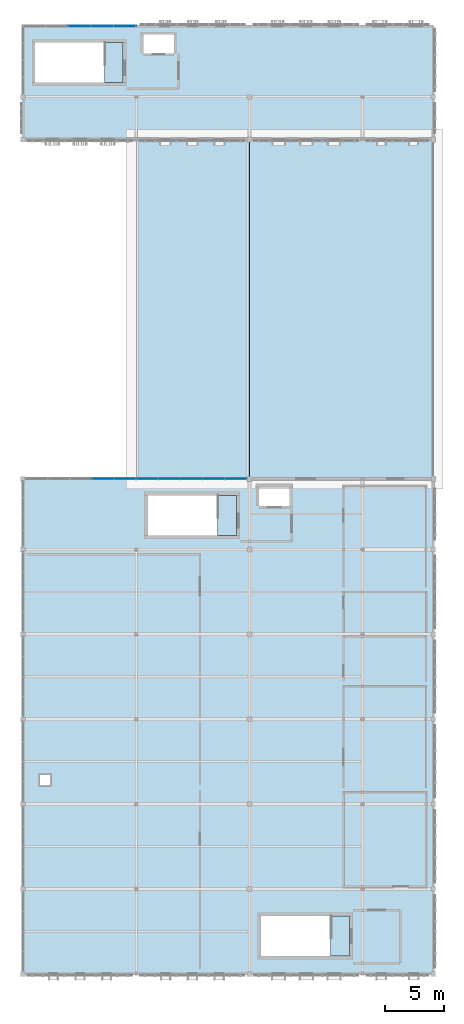
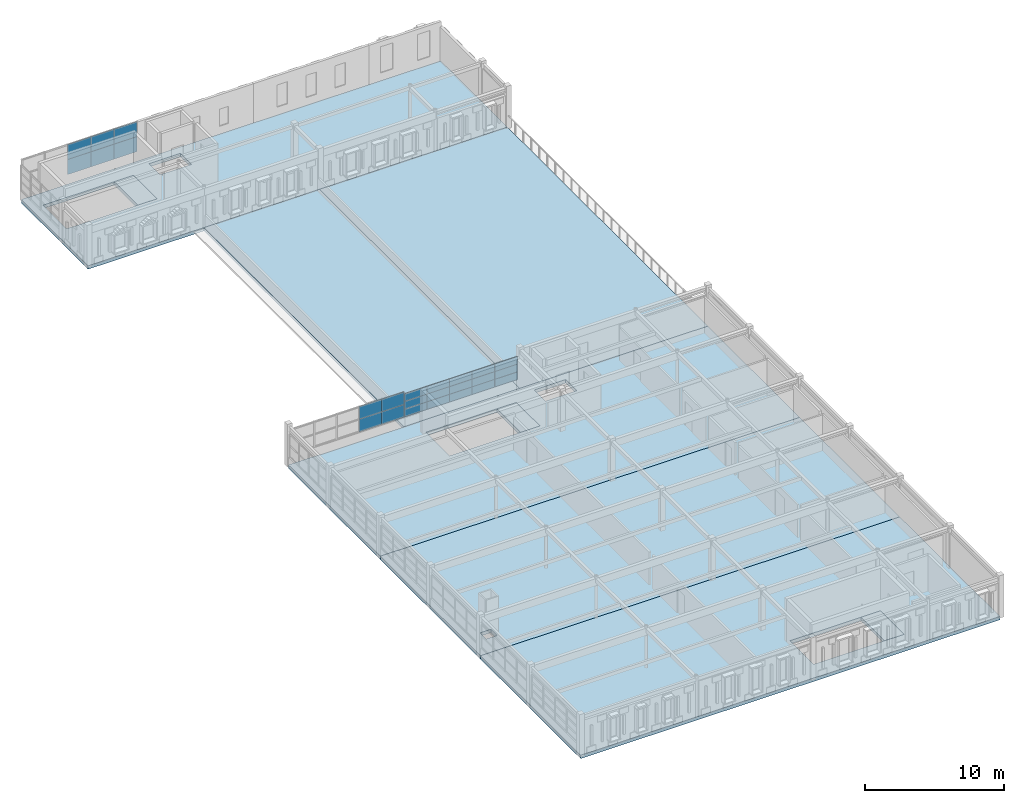
# One storey, part 13 of 25: 25 plates, 9 slabs, 3 elements without a shape of their own.
"""IFC4 building model written with IfcOpenShell, lengths in metres."""

from ifc_helpers import new_model, si_unit, direction, frame, origin, origin_2d, place, context, subcontext, project, spatial, polyline, rectangle, outline, extrude, material, layer, layer_set, type_object, element, aggregate, save


model = new_model("IFC4")

# Units and contexts
model_context = context("Model", 3, precision=1e-05, world=origin(), true_north=direction((0.0, 1.0)))
body_context = subcontext(model_context, "Body", "Model", "MODEL_VIEW")
ifc_project = project(units=[si_unit("LENGTHUNIT", "METRE"), si_unit("AREAUNIT", "SQUARE_METRE"), si_unit("VOLUMEUNIT", "CUBIC_METRE"), si_unit("PLANEANGLEUNIT", "RADIAN"), si_unit("MASSUNIT", "GRAM", prefix="KILO")], contexts=[model_context])

# Site, building, storey
site_placement = place(None, origin())
site = spatial("IfcSite", under=ifc_project, at=site_placement, CompositionType="ELEMENT")
building_placement = place(site_placement, origin())
building = spatial("IfcBuilding", under=site, at=building_placement, Name="Nzembalo Square Collegiate School", CompositionType="ELEMENT")
storey_placement = place(building_placement, frame((0.0, 0.0, 21.080078125)))
storey = spatial("IfcBuildingStorey", under=building, at=storey_placement, Name="L05", CompositionType="ELEMENT", Elevation=21.080078125)

# Curtain wall, plates
ifc_material_1 = material(Name="Aluminium 6060-T66", Category="aluminium")
curtain_wall_type_1 = type_object("IfcCurtainWallType", Name="CW-09", PredefinedType="USERDEFINED", material=ifc_material_1)
curtain_wall_1_placement = place(storey_placement, origin())
curtain_wall_1 = element("IfcCurtainWall", 1, at=curtain_wall_1_placement, inside=storey, type_object=curtain_wall_type_1, Name="Curtain wall CW-09 cw:L05:160", ObjectType="UNITISED", PredefinedType="USERDEFINED")
ifc_material_2 = material(Name="Laminated solar-control double glazing", Category="glass")
ifc_layer_1 = layer(ifc_material_2, 0.028076171875, Name="Laminated solar-control double glazing")
ifc_layer_set_1 = layer_set([ifc_layer_1], Name="Laminated solar-control double glazing")
plate_type_1 = type_object("IfcPlateType", Name="PN01", PredefinedType="CURTAIN_PANEL", material=ifc_layer_set_1)
plate_1_placement = place(storey_placement, frame((141.3388671875, 50.39990234375, 0.85400390625), z_axis=(0.0, 0.0, 1.0), x_axis=(1.0, 0.0, 0.0)))
plate_1 = element("IfcPlate", 2, at=plate_1_placement, type_object=plate_type_1, Name="PN01 glazed panel 1-1", PredefinedType="CURTAIN_PANEL", context=body_context, shape_type="SweptSolid", body=[
    extrude(rectangle(XDim=1.86962890625, YDim=0.028076171875, at=origin_2d()), origin(), (0.0, 0.0, 1.0), 0.669921875),
])
plate_2_placement = place(storey_placement, frame((143.21630859375, 50.39990234375, 0.85400390625), z_axis=(0.0, 0.0, 1.0), x_axis=(1.0, 0.0, 0.0)))
plate_2 = element("IfcPlate", 3, at=plate_2_placement, type_object=plate_type_1, Name="PN01 glazed panel 1-2", PredefinedType="CURTAIN_PANEL", context=body_context, shape_type="SweptSolid", body=[
    extrude(rectangle(XDim=1.86962890625, YDim=0.028076171875, at=origin_2d()), origin(), (0.0, 0.0, 1.0), 0.669921875),
])
plate_3_placement = place(storey_placement, frame((145.093994140625, 50.39990234375, 0.85400390625), z_axis=(0.0, 0.0, 1.0), x_axis=(1.0, 0.0, 0.0)))
plate_3 = element("IfcPlate", 4, at=plate_3_placement, type_object=plate_type_1, Name="PN01 glazed panel 1-3", PredefinedType="CURTAIN_PANEL", context=body_context, shape_type="SweptSolid", body=[
    extrude(rectangle(XDim=1.86962890625, YDim=0.028076171875, at=origin_2d()), origin(), (0.0, 0.0, 1.0), 0.669921875),
])
plate_4_placement = place(storey_placement, frame((146.9716796875, 50.39990234375, 0.85400390625), z_axis=(0.0, 0.0, 1.0), x_axis=(1.0, 0.0, 0.0)))
plate_4 = element("IfcPlate", 5, at=plate_4_placement, type_object=plate_type_1, Name="PN01 glazed panel 1-4", PredefinedType="CURTAIN_PANEL", context=body_context, shape_type="SweptSolid", body=[
    extrude(rectangle(XDim=1.86962890625, YDim=0.028076171875, at=origin_2d()), origin(), (0.0, 0.0, 1.0), 0.669921875),
])
plate_5_placement = place(storey_placement, frame((148.84912109375, 50.39990234375, 0.85400390625), z_axis=(0.0, 0.0, 1.0), x_axis=(1.0, 0.0, 0.0)))
plate_5 = element("IfcPlate", 6, at=plate_5_placement, type_object=plate_type_1, Name="PN01 glazed panel 1-5", PredefinedType="CURTAIN_PANEL", context=body_context, shape_type="SweptSolid", body=[
    extrude(rectangle(XDim=1.86962890625, YDim=0.028076171875, at=origin_2d()), origin(), (0.0, 0.0, 1.0), 0.669921875),
])
plate_6_placement = place(storey_placement, frame((141.3388671875, 50.39990234375, 1.531982421875), z_axis=(0.0, 0.0, 1.0), x_axis=(1.0, 0.0, 0.0)))
plate_6 = element("IfcPlate", 7, at=plate_6_placement, type_object=plate_type_1, Name="PN01 glazed panel 2-1", PredefinedType="CURTAIN_PANEL", context=body_context, shape_type="SweptSolid", body=[
    extrude(rectangle(XDim=1.86962890625, YDim=0.028076171875, at=origin_2d()), origin(), (0.0, 0.0, 1.0), 0.669921875),
])
plate_7_placement = place(storey_placement, frame((143.21630859375, 50.39990234375, 1.531982421875), z_axis=(0.0, 0.0, 1.0), x_axis=(1.0, 0.0, 0.0)))
plate_7 = element("IfcPlate", 8, at=plate_7_placement, type_object=plate_type_1, Name="PN01 glazed panel 2-2", PredefinedType="CURTAIN_PANEL", context=body_context, shape_type="SweptSolid", body=[
    extrude(rectangle(XDim=1.86962890625, YDim=0.028076171875, at=origin_2d()), origin(), (0.0, 0.0, 1.0), 0.669921875),
])
plate_8_placement = place(storey_placement, frame((145.093994140625, 50.39990234375, 1.531982421875), z_axis=(0.0, 0.0, 1.0), x_axis=(1.0, 0.0, 0.0)))
plate_8 = element("IfcPlate", 9, at=plate_8_placement, type_object=plate_type_1, Name="PN01 glazed panel 2-3", PredefinedType="CURTAIN_PANEL", context=body_context, shape_type="SweptSolid", body=[
    extrude(rectangle(XDim=1.86962890625, YDim=0.028076171875, at=origin_2d()), origin(), (0.0, 0.0, 1.0), 0.669921875),
])
plate_9_placement = place(storey_placement, frame((146.9716796875, 50.39990234375, 1.531982421875), z_axis=(0.0, 0.0, 1.0), x_axis=(1.0, 0.0, 0.0)))
plate_9 = element("IfcPlate", 10, at=plate_9_placement, type_object=plate_type_1, Name="PN01 glazed panel 2-4", PredefinedType="CURTAIN_PANEL", context=body_context, shape_type="SweptSolid", body=[
    extrude(rectangle(XDim=1.86962890625, YDim=0.028076171875, at=origin_2d()), origin(), (0.0, 0.0, 1.0), 0.669921875),
])
plate_10_placement = place(storey_placement, frame((148.84912109375, 50.39990234375, 1.531982421875), z_axis=(0.0, 0.0, 1.0), x_axis=(1.0, 0.0, 0.0)))
plate_10 = element("IfcPlate", 11, at=plate_10_placement, type_object=plate_type_1, Name="PN01 glazed panel 2-5", PredefinedType="CURTAIN_PANEL", context=body_context, shape_type="SweptSolid", body=[
    extrude(rectangle(XDim=1.86962890625, YDim=0.028076171875, at=origin_2d()), origin(), (0.0, 0.0, 1.0), 0.669921875),
])
plate_11_placement = place(storey_placement, frame((141.3388671875, 50.39990234375, 2.2099609375), z_axis=(0.0, 0.0, 1.0), x_axis=(1.0, 0.0, 0.0)))
plate_11 = element("IfcPlate", 12, at=plate_11_placement, type_object=plate_type_1, Name="PN01 glazed panel 3-1", PredefinedType="CURTAIN_PANEL", context=body_context, shape_type="SweptSolid", body=[
    extrude(rectangle(XDim=1.86962890625, YDim=0.028076171875, at=origin_2d()), origin(), (0.0, 0.0, 1.0), 0.669921875),
])
plate_12_placement = place(storey_placement, frame((143.21630859375, 50.39990234375, 2.2099609375), z_axis=(0.0, 0.0, 1.0), x_axis=(1.0, 0.0, 0.0)))
plate_12 = element("IfcPlate", 13, at=plate_12_placement, type_object=plate_type_1, Name="PN01 glazed panel 3-2", PredefinedType="CURTAIN_PANEL", context=body_context, shape_type="SweptSolid", body=[
    extrude(rectangle(XDim=1.86962890625, YDim=0.028076171875, at=origin_2d()), origin(), (0.0, 0.0, 1.0), 0.669921875),
])
plate_13_placement = place(storey_placement, frame((145.093994140625, 50.39990234375, 2.2099609375), z_axis=(0.0, 0.0, 1.0), x_axis=(1.0, 0.0, 0.0)))
plate_13 = element("IfcPlate", 14, at=plate_13_placement, type_object=plate_type_1, Name="PN01 glazed panel 3-3", PredefinedType="CURTAIN_PANEL", context=body_context, shape_type="SweptSolid", body=[
    extrude(rectangle(XDim=1.86962890625, YDim=0.028076171875, at=origin_2d()), origin(), (0.0, 0.0, 1.0), 0.669921875),
])
plate_14_placement = place(storey_placement, frame((146.9716796875, 50.39990234375, 2.2099609375), z_axis=(0.0, 0.0, 1.0), x_axis=(1.0, 0.0, 0.0)))
plate_14 = element("IfcPlate", 15, at=plate_14_placement, type_object=plate_type_1, Name="PN01 glazed panel 3-4", PredefinedType="CURTAIN_PANEL", context=body_context, shape_type="SweptSolid", body=[
    extrude(rectangle(XDim=1.86962890625, YDim=0.028076171875, at=origin_2d()), origin(), (0.0, 0.0, 1.0), 0.669921875),
])
plate_15_placement = place(storey_placement, frame((148.84912109375, 50.39990234375, 2.2099609375), z_axis=(0.0, 0.0, 1.0), x_axis=(1.0, 0.0, 0.0)))
plate_15 = element("IfcPlate", 16, at=plate_15_placement, type_object=plate_type_1, Name="PN01 glazed panel 3-5", PredefinedType="CURTAIN_PANEL", context=body_context, shape_type="SweptSolid", body=[
    extrude(rectangle(XDim=1.86962890625, YDim=0.028076171875, at=origin_2d()), origin(), (0.0, 0.0, 1.0), 0.669921875),
])
aggregate(curtain_wall_1, [plate_1, plate_2, plate_3, plate_4, plate_5, plate_6, plate_7, plate_8, plate_9, plate_10, plate_11, plate_12, plate_13, plate_14, plate_15])

ifc_material_3 = material(Name="Aluminium 6060-T66", Category="aluminium")
curtain_wall_type_2 = type_object("IfcCurtainWallType", Name="CW-12", PredefinedType="USERDEFINED", material=ifc_material_3)
curtain_wall_2_placement = place(storey_placement, origin())
curtain_wall_2 = element("IfcCurtainWall", 17, at=curtain_wall_2_placement, inside=storey, type_object=curtain_wall_type_2, Name="Curtain wall CW-12 cw:L05:159", ObjectType="LANCET", PredefinedType="USERDEFINED")
ifc_material_4 = material(Name="Acoustic laminated solar-control glazing", Category="glass")
ifc_layer_2 = layer(ifc_material_4, 0.031982421875, Name="Acoustic laminated solar-control glazing")
ifc_layer_set_2 = layer_set([ifc_layer_2], Name="Acoustic laminated solar-control glazing")
plate_type_2 = type_object("IfcPlateType", Name="PN02", PredefinedType="CURTAIN_PANEL", material=ifc_layer_set_2)
plate_16_placement = place(storey_placement, frame((137.58349609375, 50.39990234375, 0.85400390625), z_axis=(0.0, 0.0, 1.0), x_axis=(1.0, 0.0, 0.0)))
plate_16 = element("IfcPlate", 18, at=plate_16_placement, type_object=plate_type_2, Name="PN02 glazed panel 1-4", PredefinedType="CURTAIN_PANEL", context=body_context, shape_type="SweptSolid", body=[
    extrude(rectangle(XDim=1.86962890625, YDim=0.031982421875, at=origin_2d()), origin(), (0.0, 0.0, 1.0), 1.10400390625),
])
plate_17_placement = place(storey_placement, frame((139.461181640625, 50.39990234375, 0.85400390625), z_axis=(0.0, 0.0, 1.0), x_axis=(1.0, 0.0, 0.0)))
plate_17 = element("IfcPlate", 19, at=plate_17_placement, type_object=plate_type_2, Name="PN02 glazed panel 1-5", PredefinedType="CURTAIN_PANEL", context=body_context, shape_type="SweptSolid", body=[
    extrude(rectangle(XDim=1.86962890625, YDim=0.031982421875, at=origin_2d()), origin(), (0.0, 0.0, 1.0), 1.10400390625),
])
plate_18_placement = place(storey_placement, frame((137.58349609375, 50.39990234375, 1.9658203125), z_axis=(0.0, 0.0, 1.0), x_axis=(1.0, 0.0, 0.0)))
plate_18 = element("IfcPlate", 20, at=plate_18_placement, type_object=plate_type_2, Name="PN02 glazed panel 2-4", PredefinedType="CURTAIN_PANEL", context=body_context, shape_type="SweptSolid", body=[
    extrude(rectangle(XDim=1.86962890625, YDim=0.031982421875, at=origin_2d()), origin(), (0.0, 0.0, 1.0), 1.10400390625),
])
plate_19_placement = place(storey_placement, frame((139.461181640625, 50.39990234375, 1.9658203125), z_axis=(0.0, 0.0, 1.0), x_axis=(1.0, 0.0, 0.0)))
plate_19 = element("IfcPlate", 21, at=plate_19_placement, type_object=plate_type_2, Name="PN02 glazed panel 2-5", PredefinedType="CURTAIN_PANEL", context=body_context, shape_type="SweptSolid", body=[
    extrude(rectangle(XDim=1.86962890625, YDim=0.031982421875, at=origin_2d()), origin(), (0.0, 0.0, 1.0), 1.10400390625),
])
aggregate(curtain_wall_2, [plate_16, plate_17, plate_18, plate_19])

ifc_material_5 = material(Name="Aluminium 6060-T66", Category="aluminium")
curtain_wall_type_3 = type_object("IfcCurtainWallType", Name="CW-11", PredefinedType="USERDEFINED", material=ifc_material_5)
curtain_wall_3_placement = place(storey_placement, origin())
curtain_wall_3 = element("IfcCurtainWall", 22, at=curtain_wall_3_placement, inside=storey, type_object=curtain_wall_type_3, Name="Curtain wall CW-11 cw:L05:162", ObjectType="LANCET", PredefinedType="USERDEFINED")
plate_20_placement = place(storey_placement, frame((135.60009765625, 88.800048828125, 0.85400390625), z_axis=(0.0, 0.0, 1.0), x_axis=(1.0, 0.0, 0.0)))
plate_20 = element("IfcPlate", 23, at=plate_20_placement, type_object=plate_type_2, Name="PN02 glazed panel 1-3", PredefinedType="CURTAIN_PANEL", context=body_context, shape_type="SweptSolid", body=[
    extrude(rectangle(XDim=1.912109375, YDim=0.031982421875, at=origin_2d()), origin(), (0.0, 0.0, 1.0), 1.319091796875),
])
plate_21_placement = place(storey_placement, frame((137.52001953125, 88.800048828125, 0.85400390625), z_axis=(0.0, 0.0, 1.0), x_axis=(1.0, 0.0, 0.0)))
plate_21 = element("IfcPlate", 24, at=plate_21_placement, type_object=plate_type_2, Name="PN02 glazed panel 1-4", PredefinedType="CURTAIN_PANEL", context=body_context, shape_type="SweptSolid", body=[
    extrude(rectangle(XDim=1.912109375, YDim=0.031982421875, at=origin_2d()), origin(), (0.0, 0.0, 1.0), 1.319091796875),
])
plate_22_placement = place(storey_placement, frame((139.43994140625, 88.800048828125, 0.85400390625), z_axis=(0.0, 0.0, 1.0), x_axis=(1.0, 0.0, 0.0)))
plate_22 = element("IfcPlate", 25, at=plate_22_placement, type_object=plate_type_2, Name="PN02 glazed panel 1-5", PredefinedType="CURTAIN_PANEL", context=body_context, shape_type="SweptSolid", body=[
    extrude(rectangle(XDim=1.912109375, YDim=0.031982421875, at=origin_2d()), origin(), (0.0, 0.0, 1.0), 1.319091796875),
])
plate_23_placement = place(storey_placement, frame((135.60009765625, 88.800048828125, 2.1806640625), z_axis=(0.0, 0.0, 1.0), x_axis=(1.0, 0.0, 0.0)))
plate_23 = element("IfcPlate", 26, at=plate_23_placement, type_object=plate_type_2, Name="PN02 glazed panel 2-3", PredefinedType="CURTAIN_PANEL", context=body_context, shape_type="SweptSolid", body=[
    extrude(rectangle(XDim=1.912109375, YDim=0.031982421875, at=origin_2d()), origin(), (0.0, 0.0, 1.0), 1.319091796875),
])
plate_24_placement = place(storey_placement, frame((137.52001953125, 88.800048828125, 2.1806640625), z_axis=(0.0, 0.0, 1.0), x_axis=(1.0, 0.0, 0.0)))
plate_24 = element("IfcPlate", 27, at=plate_24_placement, type_object=plate_type_2, Name="PN02 glazed panel 2-4", PredefinedType="CURTAIN_PANEL", context=body_context, shape_type="SweptSolid", body=[
    extrude(rectangle(XDim=1.912109375, YDim=0.031982421875, at=origin_2d()), origin(), (0.0, 0.0, 1.0), 1.319091796875),
])
plate_25_placement = place(storey_placement, frame((139.43994140625, 88.800048828125, 2.1806640625), z_axis=(0.0, 0.0, 1.0), x_axis=(1.0, 0.0, 0.0)))
plate_25 = element("IfcPlate", 28, at=plate_25_placement, type_object=plate_type_2, Name="PN02 glazed panel 2-5", PredefinedType="CURTAIN_PANEL", context=body_context, shape_type="SweptSolid", body=[
    extrude(rectangle(XDim=1.912109375, YDim=0.031982421875, at=origin_2d()), origin(), (0.0, 0.0, 1.0), 1.319091796875),
])
aggregate(curtain_wall_3, [plate_20, plate_21, plate_22, plate_23, plate_24, plate_25])

# Slabs
ifc_material_6 = material(Name="CLT CL24", Category="wood")
ifc_layer_3 = layer(ifc_material_6, 0.27001953125, Name="CLT CL24")
ifc_layer_set_3 = layer_set([ifc_layer_3], Name="CLT CL24")
slab_type_1 = type_object("IfcSlabType", Name="RS-F27", PredefinedType="ROOF", material=ifc_layer_set_3)
slab_1_placement = place(storey_placement, frame((0.0, 0.0, -0.27001953125)))
element("IfcSlab", 29, at=slab_1_placement, inside=storey, type_object=slab_type_1, Name="Step roof slab RS-L05-PB", PredefinedType="ROOF", context=body_context, shape_type="SweptSolid", body=[
    extrude(outline(polyline([(140.39990234375, 50.39990234375), (150.0, 50.39990234375), (150.0, 79.199951171875), (140.39990234375, 79.199951171875), (140.39990234375, 50.39990234375)])), origin(), (0.0, 0.0, 1.0), 0.27001953125),
])
ifc_material_7 = material(Name="CLT CL24", Category="wood")
ifc_layer_4 = layer(ifc_material_7, 0.2958984375, Name="CLT CL24")
ifc_layer_set_4 = layer_set([ifc_layer_4], Name="CLT CL24")
slab_type_2 = type_object("IfcSlabType", Name="SL-05", PredefinedType="FLOOR", material=ifc_layer_set_4)
slab_2_placement = place(storey_placement, frame((0.0, 0.0, -0.296142578125)))
element("IfcSlab", 30, at=slab_2_placement, inside=storey, type_object=slab_type_2, Name="Slab SL-L05-84", PredefinedType="FLOOR", context=body_context, shape_type="SweptSolid", body=[
    extrude(outline(polyline([(130.800048828125, 79.199951171875), (165.60009765625, 79.199951171875), (165.60009765625, 88.800048828125), (130.800048828125, 88.800048828125), (130.800048828125, 79.199951171875)]), holes=[polyline([(141.0, 86.5), (143.60009765625, 86.5), (143.60009765625, 88.10009765625), (141.0, 88.10009765625), (141.0, 86.5)]), polyline([(139.300048828125, 87.39990234375), (131.800048828125, 87.39990234375), (131.800048828125, 84.0), (139.300048828125, 84.0), (139.300048828125, 87.39990234375)])]), origin(), (0.0, 0.0, 1.0), 0.296142578125),
])
slab_3_placement = place(storey_placement, frame((0.0, 0.0, -0.296142578125)))
element("IfcSlab", 31, at=slab_3_placement, inside=storey, type_object=slab_type_2, Name="Slab SL-L05-86", PredefinedType="FLOOR", context=body_context, shape_type="SweptSolid", body=[
    extrude(outline(polyline([(130.800048828125, 8.39990234375), (165.60009765625, 8.39990234375), (165.60009765625, 22.800048828125), (130.800048828125, 22.800048828125), (130.800048828125, 8.39990234375)]), holes=[polyline([(158.5, 13.300048828125), (151.0, 13.300048828125), (151.0, 9.89990234375), (158.5, 9.89990234375), (158.5, 13.300048828125)])]), origin(), (0.0, 0.0, 1.0), 0.296142578125),
])
slab_4_placement = place(storey_placement, frame((0.0, 0.0, -0.296142578125)))
element("IfcSlab", 32, at=slab_4_placement, inside=storey, type_object=slab_type_2, Name="Slab SL-L05-87", PredefinedType="FLOOR", context=body_context, shape_type="SweptSolid", body=[
    extrude(outline(polyline([(130.800048828125, 22.800048828125), (165.60009765625, 22.800048828125), (165.60009765625, 37.199951171875), (130.800048828125, 37.199951171875), (130.800048828125, 22.800048828125)]), holes=[polyline([(132.199951171875, 24.39990234375), (133.10009765625, 24.39990234375), (133.10009765625, 25.300048828125), (132.199951171875, 25.300048828125), (132.199951171875, 24.39990234375)])]), origin(), (0.0, 0.0, 1.0), 0.296142578125),
])
slab_5_placement = place(storey_placement, frame((0.0, 0.0, -0.296142578125)))
element("IfcSlab", 33, at=slab_5_placement, inside=storey, type_object=slab_type_2, Name="Slab SL-L05-88", PredefinedType="FLOOR", context=body_context, shape_type="SweptSolid", body=[
    extrude(outline(polyline([(130.800048828125, 37.199951171875), (165.60009765625, 37.199951171875), (165.60009765625, 50.39990234375), (130.800048828125, 50.39990234375), (130.800048828125, 37.199951171875)]), holes=[polyline([(150.800048828125, 48.10009765625), (153.39990234375, 48.10009765625), (153.39990234375, 49.699951171875), (150.800048828125, 49.699951171875), (150.800048828125, 48.10009765625)]), polyline([(148.89990234375, 49.0), (141.39990234375, 49.0), (141.39990234375, 45.60009765625), (148.89990234375, 45.60009765625), (148.89990234375, 49.0)])]), origin(), (0.0, 0.0, 1.0), 0.296142578125),
])
slab_6_placement = place(storey_placement, frame((0.0, 0.0, -0.296142578125)))
element("IfcSlab", 34, at=slab_6_placement, inside=storey, type_object=slab_type_2, Name="Core C4 floor landing slab SL-L05-C4", PredefinedType="FLOOR", context=body_context, shape_type="SweptSolid", body=[
    extrude(outline(polyline([(137.699951171875, 84.0), (139.300048828125, 84.0), (139.300048828125, 87.39990234375), (137.699951171875, 87.39990234375), (137.699951171875, 84.0)])), origin(), (0.0, 0.0, 1.0), 0.296142578125),
])
slab_7_placement = place(storey_placement, frame((0.0, 0.0, -0.296142578125)))
element("IfcSlab", 35, at=slab_7_placement, inside=storey, type_object=slab_type_2, Name="Core C5 floor landing slab SL-L05-C5", PredefinedType="FLOOR", context=body_context, shape_type="SweptSolid", body=[
    extrude(outline(polyline([(147.300048828125, 45.60009765625), (148.89990234375, 45.60009765625), (148.89990234375, 49.0), (147.300048828125, 49.0), (147.300048828125, 45.60009765625)])), origin(), (0.0, 0.0, 1.0), 0.296142578125),
])
slab_8_placement = place(storey_placement, frame((0.0, 0.0, -0.296142578125)))
element("IfcSlab", 36, at=slab_8_placement, inside=storey, type_object=slab_type_2, Name="Core C6 floor landing slab SL-L05-C6", PredefinedType="FLOOR", context=body_context, shape_type="SweptSolid", body=[
    extrude(outline(polyline([(156.89990234375, 9.89990234375), (158.5, 9.89990234375), (158.5, 13.300048828125), (156.89990234375, 13.300048828125), (156.89990234375, 9.89990234375)])), origin(), (0.0, 0.0, 1.0), 0.296142578125),
])
ifc_material_8 = material(Name="Concrete C30/37", Category="concrete")
ifc_layer_5 = layer(ifc_material_8, 0.27490234375, Name="Concrete C30/37")
ifc_layer_set_5 = layer_set([ifc_layer_5], Name="Concrete C30/37")
slab_type_3 = type_object("IfcSlabType", Name="SL-05E", PredefinedType="FLOOR", material=ifc_layer_set_5)
slab_9_placement = place(storey_placement, frame((0.0, 0.0, -0.275146484375)))
element("IfcSlab", 37, at=slab_9_placement, inside=storey, type_object=slab_type_3, Name="Slab SL-L05-85", PredefinedType="FLOOR", context=body_context, shape_type="SweptSolid", body=[
    extrude(outline(polyline([(150.0, 50.39990234375), (165.60009765625, 50.39990234375), (165.60009765625, 79.199951171875), (150.0, 79.199951171875), (150.0, 50.39990234375)])), origin(), (0.0, 0.0, 1.0), 0.275146484375),
])

save(model, "model.ifc")
